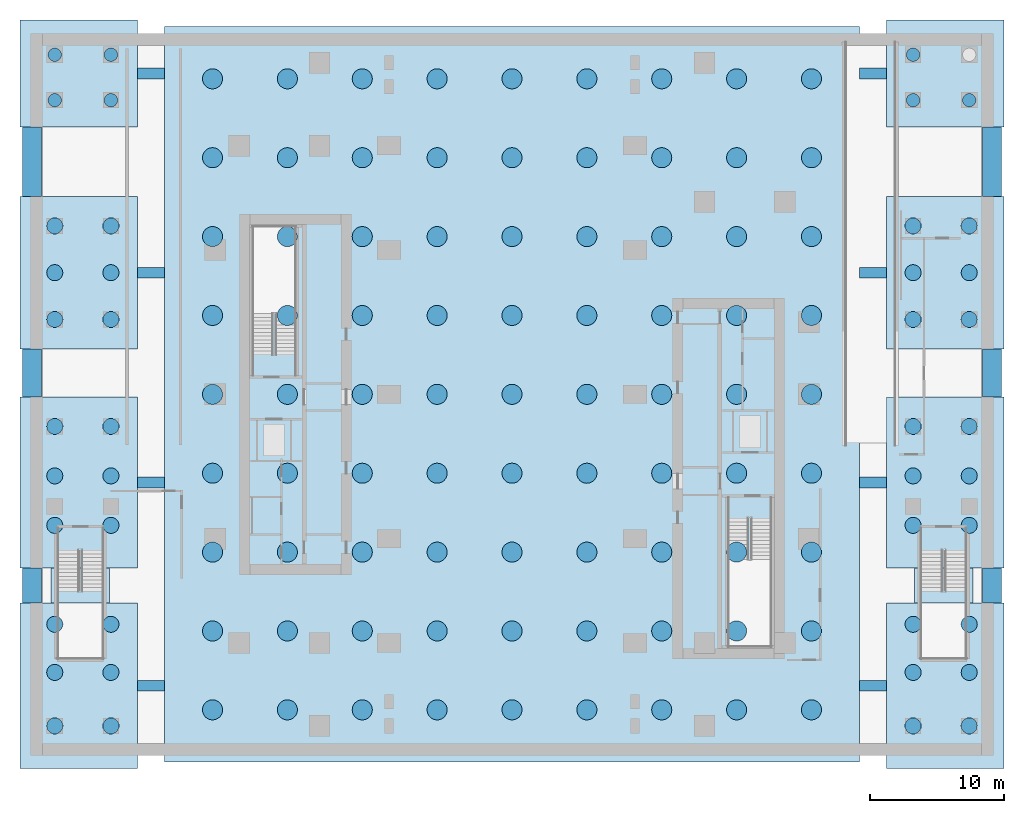
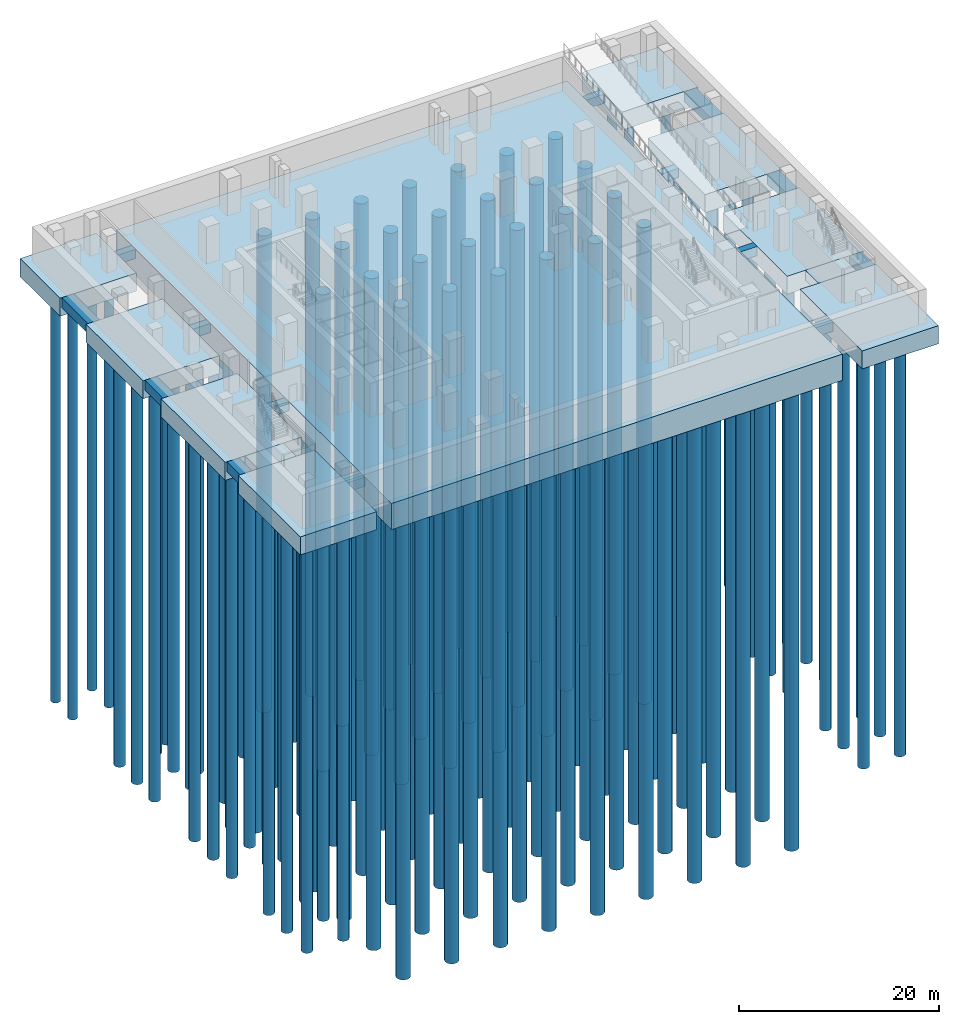
# One storey, part 1 of 15: 124 piles, 25 footings.
"""IFC4 building model written with IfcOpenShell, lengths in metres."""

import ifcopenshell
import ifcopenshell.guid

model = None  # the IFC model being written
_history = None  # IfcOwnerHistory: only IFC2X3 demands one
_inside = {}  # id of a spatial element -> (the spatial element, [elements in it])
_under = {}  # id of a project, library or spatial element -> (it, [spatial elements below it])
_declared = {}  # id of a project -> (the project, [libraries it declares])
_typed = {}  # id of a type object -> (the type object, [elements of that type])
_made_of = {}  # id of a material, layer set ... -> (it, [elements and type objects made of it])


def new_model(schema):
    """Start an empty IFC model of exactly this schema.

    Asked for "IFC4X3", IfcOpenShell would pick the latest addendum, in which some entities
    have other attributes; the version numbers below select the first issue.
    IFC2X3 requires an IfcOwnerHistory on every rooted entity: one is made here for all.
    """
    global model, _history
    if schema == "IFC4X3":
        model = ifcopenshell.file(schema_version=(4, 3, 0, 0))
    else:
        model = ifcopenshell.file(schema=schema)
    _inside.clear()
    _under.clear()
    _declared.clear()
    _typed.clear()
    _made_of.clear()
    _history = None
    if model.schema == "IFC2X3":
        org = make("IfcOrganization", Name="unknown")
        user = make(
            "IfcPersonAndOrganization",
            ThePerson=make("IfcPerson", FamilyName="unknown"),
            TheOrganization=org,
        )
        app = make(
            "IfcApplication",
            ApplicationDeveloper=org,
            Version="unknown",
            ApplicationFullName="unknown",
            ApplicationIdentifier="unknown",
        )
        _history = make(
            "IfcOwnerHistory",
            OwningUser=user,
            OwningApplication=app,
            ChangeAction="ADDED",
            CreationDate=0,
        )
    return model


def make(cls, **values):
    """One entity of the class cls with the attributes given. An attribute that is None is left unset."""
    return model.create_entity(
        cls, **{name: value for name, value in values.items() if value is not None}
    )


def rooted(cls, **values):
    """An entity with a GlobalId (a new one), such as an element, a storey or a relation."""
    return make(cls, GlobalId=ifcopenshell.guid.new(), OwnerHistory=_history, **values)


def si_unit(unit_type, name, prefix=None):
    """IfcSIUnit, for example si_unit("LENGTHUNIT", "METRE", prefix="MILLI")."""
    return make("IfcSIUnit", UnitType=unit_type, Prefix=prefix, Name=name)


def assignment(units):
    """IfcUnitAssignment: the units of a project."""
    return None if units is None else make("IfcUnitAssignment", Units=units)


def point(xyz):
    """IfcCartesianPoint."""
    return None if xyz is None else make("IfcCartesianPoint", Coordinates=xyz)


def direction(xyz):
    """IfcDirection."""
    return None if xyz is None else make("IfcDirection", DirectionRatios=xyz)


def frame(location, z_axis=None, x_axis=None):
    """IfcAxis2Placement3D, a coordinate frame: its origin and axes. An axis left out is left unset."""
    return make(
        "IfcAxis2Placement3D",
        Location=point(location),
        Axis=direction(z_axis),
        RefDirection=direction(x_axis),
    )


def frame_2d(location, x_axis=None):
    """IfcAxis2Placement2D, a coordinate frame in the plane: its origin and x axis."""
    return make(
        "IfcAxis2Placement2D", Location=point(location), RefDirection=direction(x_axis)
    )


def origin():
    """The frame at (0, 0, 0) with its axes left unset."""
    return frame((0.0, 0.0, 0.0))


def origin_2d():
    """The frame at (0, 0) in the plane with its x axis left unset."""
    return frame_2d((0.0, 0.0))


def place(relative_to, where):
    """IfcLocalPlacement: puts the frame where relative to a parent placement (None: the world)."""
    return make(
        "IfcLocalPlacement", PlacementRelTo=relative_to, RelativePlacement=where
    )


def context(
    kind, dimensions, precision=None, world=None, true_north=None, identifier=None
):
    """IfcGeometricRepresentationContext, for example the 3D "Model" context."""
    return make(
        "IfcGeometricRepresentationContext",
        ContextIdentifier=identifier,
        ContextType=kind,
        CoordinateSpaceDimension=dimensions,
        Precision=precision,
        WorldCoordinateSystem=world,
        TrueNorth=true_north,
    )


def subcontext(parent, identifier, kind, view, scale=None):
    """IfcGeometricRepresentationSubContext, for example "Body" below "Model"."""
    return make(
        "IfcGeometricRepresentationSubContext",
        ContextIdentifier=identifier,
        ContextType=kind,
        ParentContext=parent,
        TargetScale=scale,
        TargetView=view,
    )


def project(units=None, contexts=None):
    """IfcProject with its units and contexts."""
    return rooted(
        "IfcProject",
        Name="project",
        RepresentationContexts=contexts,
        UnitsInContext=assignment(units),
    )


def spatial(cls, under=None, at=None, **own):
    """A site, building, storey or space (cls), placed at a placement, below another one or the project."""
    s = rooted(cls, ObjectPlacement=at, **own)
    if under is not None:
        _under.setdefault(under.id(), (under, []))[1].append(s)
    return s


def polyline(points):
    """IfcPolyline through the points."""
    return make("IfcPolyline", Points=[point(p) for p in points])


def profile(cls, at=None, kind="AREA", **sizes):
    """A parametric profile (cls). Its sizes go by their IFC names, for example OverallWidth=200.0."""
    return make(cls, ProfileType=kind, Position=at, **sizes)


def circle(**sizes):
    """IfcCircleProfileDef."""
    return profile("IfcCircleProfileDef", **sizes)


def outline(outer, holes=None, kind="AREA"):
    """IfcArbitraryClosedProfileDef: a profile drawn as a closed curve; with holes, ...WithVoids."""
    if holes is None:
        return make("IfcArbitraryClosedProfileDef", ProfileType=kind, OuterCurve=outer)
    return make(
        "IfcArbitraryProfileDefWithVoids",
        ProfileType=kind,
        OuterCurve=outer,
        InnerCurves=holes,
    )


def extrude(swept, where, along, depth):
    """IfcExtrudedAreaSolid: the profile swept, set in the frame where, extruded along a direction by depth."""
    return make(
        "IfcExtrudedAreaSolid",
        SweptArea=swept,
        Position=where,
        ExtrudedDirection=direction(along),
        Depth=depth,
    )


def shape(context_of_items, identifier, shape_type, items):
    """IfcShapeRepresentation: the items that make up one representation, for example the "Body"."""
    return make(
        "IfcShapeRepresentation",
        ContextOfItems=context_of_items,
        RepresentationIdentifier=identifier,
        RepresentationType=shape_type,
        Items=items,
    )


def material(Name=None, Category=None):
    """IfcMaterial."""
    return make("IfcMaterial", Name=Name, Category=Category)


def layer(
    of_material, thickness, ventilated=None, Name=None, Category=None, Priority=None
):
    """IfcMaterialLayer: one layer of a wall or slab, of a material (None: an air gap)."""
    return make(
        "IfcMaterialLayer",
        Material=of_material,
        LayerThickness=thickness,
        IsVentilated=ventilated,
        Name=Name,
        Category=Category,
        Priority=Priority,
    )


def layer_set(layers, Name=None):
    """IfcMaterialLayerSet."""
    return make("IfcMaterialLayerSet", MaterialLayers=layers, LayerSetName=Name)


def material_profile(
    of_material, cross_section, Name=None, Category=None, Priority=None
):
    """IfcMaterialProfile: a cross section and its material."""
    return make(
        "IfcMaterialProfile",
        Name=Name,
        Material=of_material,
        Profile=cross_section,
        Priority=Priority,
        Category=Category,
    )


def profile_set(profiles, Name=None, composite=None):
    """IfcMaterialProfileSet."""
    return make(
        "IfcMaterialProfileSet",
        Name=Name,
        MaterialProfiles=profiles,
        CompositeProfile=composite,
    )


def made_of(thing, what):
    """Note that an element or type object is made of a material, layer set ...; save() writes the relation."""
    if what is not None:
        _made_of.setdefault(what.id(), (what, []))[1].append(thing)
    return thing


def type_object(cls, material=None, **own):
    """A type object (cls), such as IfcWallType, which elements share."""
    return made_of(rooted(cls, **own), material)


def element(
    cls,
    number,
    at=None,
    inside=None,
    cuts=None,
    type_object=None,
    material=None,
    context=None,
    identifier="Body",
    shape_type=None,
    held_by="IfcProductDefinitionShape",
    body=None,
    shapes=None,
    **own,
):
    """One element of the class cls, such as IfcWall. Its Tag is "e" and its number.

    at: its placement. inside: the storey or other place that contains it. cuts: it is an
    opening in that element (IfcRelVoidsElement). A single representation is given by context,
    identifier, shape_type and body (its items); several are given by shapes. held_by: the class
    of the entity that holds the representations. save() writes the other relations.
    """
    e = rooted(cls, Tag="e%d" % number, ObjectPlacement=at, **own)
    if body is not None:
        shapes = [shape(context, identifier, shape_type, body)]
    if shapes is not None:
        e.Representation = make(held_by, Representations=shapes)
    if inside is not None:
        _inside.setdefault(inside.id(), (inside, []))[1].append(e)
    if cuts is not None:
        rooted(
            "IfcRelVoidsElement", RelatingBuildingElement=cuts, RelatedOpeningElement=e
        )
    if type_object is not None:
        _typed.setdefault(type_object.id(), (type_object, []))[1].append(e)
    return made_of(e, material)


def aggregate(whole, parts):
    """IfcRelAggregates: a whole, such as a stair, and the parts it consists of."""
    return rooted("IfcRelAggregates", RelatingObject=whole, RelatedObjects=parts)


def save(model, path):
    """Write the relations noted so far, then the file.

    IfcRelAggregates (storeys below a building ...), IfcRelContainedInSpatialStructure (elements
    in a storey), IfcRelDefinesByType, IfcRelAssociatesMaterial and IfcRelDeclares: one each for
    every whole, place, type object, material and project.
    """
    for whole, parts in _under.values():
        aggregate(whole, parts)
    for where, things in _inside.values():
        rooted(
            "IfcRelContainedInSpatialStructure",
            RelatedElements=things,
            RelatingStructure=where,
        )
    for kind, things in _typed.values():
        rooted("IfcRelDefinesByType", RelatedObjects=things, RelatingType=kind)
    for what, things in _made_of.values():
        rooted("IfcRelAssociatesMaterial", RelatedObjects=things, RelatingMaterial=what)
    for by, libraries in _declared.values():
        rooted("IfcRelDeclares", RelatingContext=by, RelatedDefinitions=libraries)
    model.write(path)


model = new_model("IFC4")

# Units and contexts
model_context = context("Model", 3, precision=1e-05, world=origin(), true_north=direction((0.0, 1.0)))
body_context = subcontext(model_context, "Body", "Model", "MODEL_VIEW")
ifc_project = project(units=[si_unit("LENGTHUNIT", "METRE"), si_unit("AREAUNIT", "SQUARE_METRE"), si_unit("VOLUMEUNIT", "CUBIC_METRE"), si_unit("PLANEANGLEUNIT", "RADIAN"), si_unit("MASSUNIT", "GRAM", prefix="KILO")], contexts=[model_context])

# Site, building, storey
site_placement = place(None, origin())
site = spatial("IfcSite", under=ifc_project, at=site_placement, CompositionType="ELEMENT")
building_placement = place(site_placement, origin())
building = spatial("IfcBuilding", under=site, at=building_placement, Name="Khairoan Windgate Tower", CompositionType="ELEMENT")
storey_placement = place(building_placement, frame((0.0, 0.0, -9.0)))
storey = spatial("IfcBuildingStorey", under=building, at=storey_placement, Name="B2", CompositionType="ELEMENT", Elevation=-9.0)

# Footings
ifc_material_1 = material(Name="Concrete C50/60", Category="concrete")
ifc_layer_1 = layer(ifc_material_1, 1.10009765625, Name="Concrete C50/60")
ifc_layer_set_1 = layer_set([ifc_layer_1], Name="Concrete C50/60")
footing_type_1 = type_object("IfcFootingType", Name="Foundation Ground Tie Beam GB1 800x1100", PredefinedType="FOOTING_BEAM", material=ifc_layer_set_1)
footing_1_placement = place(storey_placement, frame((0.0, 0.0, -1.10009765625)))
element("IfcFooting", 1, at=footing_1_placement, inside=storey, type_object=footing_type_1, Name="Ground Tie Beam GB1 W-PC1", PredefinedType="FOOTING_BEAM", context=body_context, shape_type="SweptSolid", body=[
    extrude(outline(polyline([(-28.0, -22.199951171875), (-26.0, -22.199951171875), (-26.0, -21.39990234375), (-28.0, -21.39990234375), (-28.0, -22.199951171875)])), origin(), (0.0, 0.0, 1.0), 1.10009765625),
])
footing_2_placement = place(storey_placement, frame((0.0, 0.0, -1.10009765625)))
element("IfcFooting", 2, at=footing_2_placement, inside=storey, type_object=footing_type_1, Name="Ground Tie Beam GB1 W-PC2", PredefinedType="FOOTING_BEAM", context=body_context, shape_type="SweptSolid", body=[
    extrude(outline(polyline([(-28.0, -7.0), (-26.0, -7.0), (-26.0, -6.199951171875), (-28.0, -6.199951171875), (-28.0, -7.0)])), origin(), (0.0, 0.0, 1.0), 1.10009765625),
])
footing_3_placement = place(storey_placement, frame((0.0, 0.0, -1.10009765625)))
element("IfcFooting", 3, at=footing_3_placement, inside=storey, type_object=footing_type_1, Name="Ground Tie Beam GB1 W-PC3", PredefinedType="FOOTING_BEAM", context=body_context, shape_type="SweptSolid", body=[
    extrude(outline(polyline([(-28.0, 8.699951171875), (-26.0, 8.699951171875), (-26.0, 9.5), (-28.0, 9.5), (-28.0, 8.699951171875)])), origin(), (0.0, 0.0, 1.0), 1.10009765625),
])
footing_4_placement = place(storey_placement, frame((0.0, 0.0, -1.10009765625)))
element("IfcFooting", 4, at=footing_4_placement, inside=storey, type_object=footing_type_1, Name="Ground Tie Beam GB1 W-PC4", PredefinedType="FOOTING_BEAM", context=body_context, shape_type="SweptSolid", body=[
    extrude(outline(polyline([(-28.0, 23.60009765625), (-26.0, 23.60009765625), (-26.0, 24.39990234375), (-28.0, 24.39990234375), (-28.0, 23.60009765625)])), origin(), (0.0, 0.0, 1.0), 1.10009765625),
])
footing_5_placement = place(storey_placement, frame((0.0, 0.0, -1.10009765625)))
element("IfcFooting", 5, at=footing_5_placement, inside=storey, type_object=footing_type_1, Name="Ground Tie Beam GB1 E-PC1", PredefinedType="FOOTING_BEAM", context=body_context, shape_type="SweptSolid", body=[
    extrude(outline(polyline([(26.0, -22.199951171875), (28.0, -22.199951171875), (28.0, -21.39990234375), (26.0, -21.39990234375), (26.0, -22.199951171875)])), origin(), (0.0, 0.0, 1.0), 1.10009765625),
])
footing_6_placement = place(storey_placement, frame((0.0, 0.0, -1.10009765625)))
element("IfcFooting", 6, at=footing_6_placement, inside=storey, type_object=footing_type_1, Name="Ground Tie Beam GB1 E-PC2", PredefinedType="FOOTING_BEAM", context=body_context, shape_type="SweptSolid", body=[
    extrude(outline(polyline([(26.0, -7.0), (28.0, -7.0), (28.0, -6.199951171875), (26.0, -6.199951171875), (26.0, -7.0)])), origin(), (0.0, 0.0, 1.0), 1.10009765625),
])
footing_7_placement = place(storey_placement, frame((0.0, 0.0, -1.10009765625)))
element("IfcFooting", 7, at=footing_7_placement, inside=storey, type_object=footing_type_1, Name="Ground Tie Beam GB1 E-PC3", PredefinedType="FOOTING_BEAM", context=body_context, shape_type="SweptSolid", body=[
    extrude(outline(polyline([(26.0, 8.699951171875), (28.0, 8.699951171875), (28.0, 9.5), (26.0, 9.5), (26.0, 8.699951171875)])), origin(), (0.0, 0.0, 1.0), 1.10009765625),
])
footing_8_placement = place(storey_placement, frame((0.0, 0.0, -1.10009765625)))
element("IfcFooting", 8, at=footing_8_placement, inside=storey, type_object=footing_type_1, Name="Ground Tie Beam GB1 E-PC4", PredefinedType="FOOTING_BEAM", context=body_context, shape_type="SweptSolid", body=[
    extrude(outline(polyline([(26.0, 23.60009765625), (28.0, 23.60009765625), (28.0, 24.39990234375), (26.0, 24.39990234375), (26.0, 23.60009765625)])), origin(), (0.0, 0.0, 1.0), 1.10009765625),
])
ifc_material_2 = material(Name="Concrete C50/60", Category="concrete")
ifc_layer_2 = layer(ifc_material_2, 1.199951171875, Name="Concrete C50/60")
ifc_layer_set_2 = layer_set([ifc_layer_2], Name="Concrete C50/60")
footing_type_2 = type_object("IfcFootingType", Name="Perimeter Basement Strip Footing SF1 1400x1200", PredefinedType="STRIP_FOOTING", material=ifc_layer_set_2)
footing_9_placement = place(storey_placement, frame((0.0, 0.0, -1.199951171875)))
element("IfcFooting", 9, at=footing_9_placement, inside=storey, type_object=footing_type_2, Name="Perimeter Strip Footing SF1-W1", PredefinedType="STRIP_FOOTING", context=body_context, shape_type="SweptSolid", body=[
    extrude(outline(polyline([(-36.60009765625, -15.60009765625), (-35.199951171875, -15.60009765625), (-35.199951171875, -13.0), (-36.60009765625, -13.0), (-36.60009765625, -15.60009765625)])), origin(), (0.0, 0.0, 1.0), 1.199951171875),
])
footing_10_placement = place(storey_placement, frame((0.0, 0.0, -1.199951171875)))
element("IfcFooting", 10, at=footing_10_placement, inside=storey, type_object=footing_type_2, Name="Perimeter Strip Footing SF1-W2", PredefinedType="STRIP_FOOTING", context=body_context, shape_type="SweptSolid", body=[
    extrude(outline(polyline([(-36.60009765625, -0.199951171875), (-35.199951171875, -0.199951171875), (-35.199951171875, 3.39990234375), (-36.60009765625, 3.39990234375), (-36.60009765625, -0.199951171875)])), origin(), (0.0, 0.0, 1.0), 1.199951171875),
])
footing_11_placement = place(storey_placement, frame((0.0, 0.0, -1.199951171875)))
element("IfcFooting", 11, at=footing_11_placement, inside=storey, type_object=footing_type_2, Name="Perimeter Strip Footing SF1-W3", PredefinedType="STRIP_FOOTING", context=body_context, shape_type="SweptSolid", body=[
    extrude(outline(polyline([(-36.60009765625, 14.800048828125), (-35.199951171875, 14.800048828125), (-35.199951171875, 20.0), (-36.60009765625, 20.0), (-36.60009765625, 14.800048828125)])), origin(), (0.0, 0.0, 1.0), 1.199951171875),
])
footing_12_placement = place(storey_placement, frame((0.0, 0.0, -1.199951171875)))
element("IfcFooting", 12, at=footing_12_placement, inside=storey, type_object=footing_type_2, Name="Perimeter Strip Footing SF1-E1", PredefinedType="STRIP_FOOTING", context=body_context, shape_type="SweptSolid", body=[
    extrude(outline(polyline([(35.199951171875, -15.60009765625), (36.60009765625, -15.60009765625), (36.60009765625, -13.0), (35.199951171875, -13.0), (35.199951171875, -15.60009765625)])), origin(), (0.0, 0.0, 1.0), 1.199951171875),
])
footing_13_placement = place(storey_placement, frame((0.0, 0.0, -1.199951171875)))
element("IfcFooting", 13, at=footing_13_placement, inside=storey, type_object=footing_type_2, Name="Perimeter Strip Footing SF1-E2", PredefinedType="STRIP_FOOTING", context=body_context, shape_type="SweptSolid", body=[
    extrude(outline(polyline([(35.199951171875, -0.199951171875), (36.60009765625, -0.199951171875), (36.60009765625, 3.39990234375), (35.199951171875, 3.39990234375), (35.199951171875, -0.199951171875)])), origin(), (0.0, 0.0, 1.0), 1.199951171875),
])
footing_14_placement = place(storey_placement, frame((0.0, 0.0, -1.199951171875)))
element("IfcFooting", 14, at=footing_14_placement, inside=storey, type_object=footing_type_2, Name="Perimeter Strip Footing SF1-E3", PredefinedType="STRIP_FOOTING", context=body_context, shape_type="SweptSolid", body=[
    extrude(outline(polyline([(35.199951171875, 14.800048828125), (36.60009765625, 14.800048828125), (36.60009765625, 20.0), (35.199951171875, 20.0), (35.199951171875, 14.800048828125)])), origin(), (0.0, 0.0, 1.0), 1.199951171875),
])
footing_15_placement = place(storey_placement, frame((0.0, 0.0, -1.199951171875)))
element("IfcFooting", 15, at=footing_15_placement, inside=storey, type_object=footing_type_2, Name="Stair ST3 Foundation Strip", PredefinedType="STRIP_FOOTING", context=body_context, shape_type="SweptSolid", body=[
    extrude(outline(polyline([(30.10009765625, -15.60009765625), (34.5, -15.60009765625), (34.5, -13.0), (30.10009765625, -13.0), (30.10009765625, -15.60009765625)])), origin(), (0.0, 0.0, 1.0), 1.199951171875),
])
footing_16_placement = place(storey_placement, frame((0.0, 0.0, -1.199951171875)))
element("IfcFooting", 16, at=footing_16_placement, inside=storey, type_object=footing_type_2, Name="Stair ST4 Foundation Strip", PredefinedType="STRIP_FOOTING", context=body_context, shape_type="SweptSolid", body=[
    extrude(outline(polyline([(-34.5, -15.60009765625), (-30.10009765625, -15.60009765625), (-30.10009765625, -13.0), (-34.5, -13.0), (-34.5, -15.60009765625)])), origin(), (0.0, 0.0, 1.0), 1.199951171875),
])

# Piles
ifc_material_3 = material(Name="Concrete C50/60", Category="concrete")
ifc_material_profile_1 = material_profile(ifc_material_3, circle(Radius=0.5, at=origin_2d()))
ifc_profile_set_1 = profile_set([ifc_material_profile_1], Name="Concrete C50/60")
pile_type_1 = type_object("IfcPileType", Name="Perimeter Support Pile BP3 RC-D1000", PredefinedType="SUPPORT", material=ifc_profile_set_1)
for number, where, z_axis, x_axis, name in (
    (17, (-34.199951171875, 22.0, -2.050048828125), (0.0, 0.0, -1.0), (1.0, 0.0, 0.0), "Perimeter Support Pile BP3-01"),
    (18, (-34.199951171875, 25.39990234375, -2.050048828125), (0.0, 0.0, -1.0), (1.0, 0.0, 0.0), "Perimeter Support Pile BP3-02"),
    (19, (-30.0, 22.0, -2.050048828125), (0.0, 0.0, -1.0), (1.0, 0.0, 0.0), "Perimeter Support Pile BP3-03"),
    (20, (-30.0, 25.39990234375, -2.050048828125), (0.0, 0.0, -1.0), (1.0, 0.0, 0.0), "Perimeter Support Pile BP3-04"),
    (21, (30.0, 22.0, -2.050048828125), (0.0, 0.0, -1.0), (1.0, 0.0, 0.0), "Perimeter Support Pile BP3-05"),
    (22, (30.0, 25.39990234375, -2.050048828125), (0.0, 0.0, -1.0), (1.0, 0.0, 0.0), "Perimeter Support Pile BP3-06"),
    (23, (34.199951171875, 22.0, -2.050048828125), (0.0, 0.0, -1.0), (1.0, 0.0, 0.0), "Perimeter Support Pile BP3-07"),
):
    element("IfcPile", number, at=place(storey_placement, frame(where, z_axis=z_axis, x_axis=x_axis)), inside=storey, type_object=pile_type_1, Name=name, PredefinedType="SUPPORT", context=body_context, shape_type="SweptSolid", body=[
        extrude(circle(Radius=0.5, at=origin_2d()), origin(), (0.0, 0.0, 1.0), 51.14990234375),
    ])
ifc_material_4 = material(Name="Concrete C50/60", Category="concrete")
ifc_material_profile_2 = material_profile(ifc_material_4, circle(Radius=0.60009765625, at=origin_2d()))
ifc_profile_set_2 = profile_set([ifc_material_profile_2], Name="Concrete C50/60")
pile_type_2 = type_object("IfcPileType", Name="Podium Bored Pile BP2 RC-D1200", PredefinedType="BORED", material=ifc_profile_set_2)
for number, where, z_axis, x_axis, name in (
    (24, (-34.199951171875, -24.800048828125, -2.050048828125), (0.0, 0.0, -1.0), (1.0, 0.0, 0.0), "Podium Wing Bored Pile BP2-01"),
    (25, (-34.199951171875, -20.800048828125, -2.050048828125), (0.0, 0.0, -1.0), (1.0, 0.0, 0.0), "Podium Wing Bored Pile BP2-02"),
    (26, (-34.199951171875, -17.199951171875, -2.050048828125), (0.0, 0.0, -1.0), (1.0, 0.0, 0.0), "Podium Wing Bored Pile BP2-03"),
    (27, (-30.0, -24.800048828125, -2.050048828125), (0.0, 0.0, -1.0), (1.0, 0.0, 0.0), "Podium Wing Bored Pile BP2-04"),
    (28, (-30.0, -20.800048828125, -2.050048828125), (0.0, 0.0, -1.0), (1.0, 0.0, 0.0), "Podium Wing Bored Pile BP2-05"),
    (29, (-30.0, -17.199951171875, -2.050048828125), (0.0, 0.0, -1.0), (1.0, 0.0, 0.0), "Podium Wing Bored Pile BP2-06"),
    (30, (-34.199951171875, -9.800048828125, -2.050048828125), (0.0, 0.0, -1.0), (1.0, 0.0, 0.0), "Podium Wing Bored Pile BP2-07"),
    (31, (-34.199951171875, -6.10009765625, -2.050048828125), (0.0, 0.0, -1.0), (1.0, 0.0, 0.0), "Podium Wing Bored Pile BP2-08"),
    (32, (-34.199951171875, -2.39990234375, -2.050048828125), (0.0, 0.0, -1.0), (1.0, 0.0, 0.0), "Podium Wing Bored Pile BP2-09"),
    (33, (-30.0, -9.800048828125, -2.050048828125), (0.0, 0.0, -1.0), (1.0, 0.0, 0.0), "Podium Wing Bored Pile BP2-10"),
    (34, (-30.0, -6.10009765625, -2.050048828125), (0.0, 0.0, -1.0), (1.0, 0.0, 0.0), "Podium Wing Bored Pile BP2-11"),
    (35, (-30.0, -2.39990234375, -2.050048828125), (0.0, 0.0, -1.0), (1.0, 0.0, 0.0), "Podium Wing Bored Pile BP2-12"),
    (36, (-34.199951171875, 5.60009765625, -2.050048828125), (0.0, 0.0, -1.0), (1.0, 0.0, 0.0), "Podium Wing Bored Pile BP2-13"),
    (37, (-34.199951171875, 9.10009765625, -2.050048828125), (0.0, 0.0, -1.0), (1.0, 0.0, 0.0), "Podium Wing Bored Pile BP2-14"),
    (38, (-34.199951171875, 12.60009765625, -2.050048828125), (0.0, 0.0, -1.0), (1.0, 0.0, 0.0), "Podium Wing Bored Pile BP2-15"),
    (39, (-30.0, 5.60009765625, -2.050048828125), (0.0, 0.0, -1.0), (1.0, 0.0, 0.0), "Podium Wing Bored Pile BP2-16"),
    (40, (-30.0, 9.10009765625, -2.050048828125), (0.0, 0.0, -1.0), (1.0, 0.0, 0.0), "Podium Wing Bored Pile BP2-17"),
    (41, (-30.0, 12.60009765625, -2.050048828125), (0.0, 0.0, -1.0), (1.0, 0.0, 0.0), "Podium Wing Bored Pile BP2-18"),
    (42, (30.0, -24.800048828125, -2.050048828125), (0.0, 0.0, -1.0), (1.0, 0.0, 0.0), "Podium Wing Bored Pile BP2-19"),
    (43, (30.0, -20.800048828125, -2.050048828125), (0.0, 0.0, -1.0), (1.0, 0.0, 0.0), "Podium Wing Bored Pile BP2-20"),
    (44, (30.0, -17.199951171875, -2.050048828125), (0.0, 0.0, -1.0), (1.0, 0.0, 0.0), "Podium Wing Bored Pile BP2-21"),
    (45, (34.199951171875, -24.800048828125, -2.050048828125), (0.0, 0.0, -1.0), (1.0, 0.0, 0.0), "Podium Wing Bored Pile BP2-22"),
    (46, (34.199951171875, -20.800048828125, -2.050048828125), (0.0, 0.0, -1.0), (1.0, 0.0, 0.0), "Podium Wing Bored Pile BP2-23"),
    (47, (34.199951171875, -17.199951171875, -2.050048828125), (0.0, 0.0, -1.0), (1.0, 0.0, 0.0), "Podium Wing Bored Pile BP2-24"),
    (48, (30.0, -9.800048828125, -2.050048828125), (0.0, 0.0, -1.0), (1.0, 0.0, 0.0), "Podium Wing Bored Pile BP2-25"),
    (49, (30.0, -6.10009765625, -2.050048828125), (0.0, 0.0, -1.0), (1.0, 0.0, 0.0), "Podium Wing Bored Pile BP2-26"),
    (50, (30.0, -2.39990234375, -2.050048828125), (0.0, 0.0, -1.0), (1.0, 0.0, 0.0), "Podium Wing Bored Pile BP2-27"),
    (51, (34.199951171875, -9.800048828125, -2.050048828125), (0.0, 0.0, -1.0), (1.0, 0.0, 0.0), "Podium Wing Bored Pile BP2-28"),
    (52, (34.199951171875, -6.10009765625, -2.050048828125), (0.0, 0.0, -1.0), (1.0, 0.0, 0.0), "Podium Wing Bored Pile BP2-29"),
    (53, (34.199951171875, -2.39990234375, -2.050048828125), (0.0, 0.0, -1.0), (1.0, 0.0, 0.0), "Podium Wing Bored Pile BP2-30"),
    (54, (30.0, 5.60009765625, -2.050048828125), (0.0, 0.0, -1.0), (1.0, 0.0, 0.0), "Podium Wing Bored Pile BP2-31"),
    (55, (30.0, 9.10009765625, -2.050048828125), (0.0, 0.0, -1.0), (1.0, 0.0, 0.0), "Podium Wing Bored Pile BP2-32"),
    (56, (30.0, 12.60009765625, -2.050048828125), (0.0, 0.0, -1.0), (1.0, 0.0, 0.0), "Podium Wing Bored Pile BP2-33"),
    (57, (34.199951171875, 5.60009765625, -2.050048828125), (0.0, 0.0, -1.0), (1.0, 0.0, 0.0), "Podium Wing Bored Pile BP2-34"),
    (58, (34.199951171875, 9.10009765625, -2.050048828125), (0.0, 0.0, -1.0), (1.0, 0.0, 0.0), "Podium Wing Bored Pile BP2-35"),
    (59, (34.199951171875, 12.60009765625, -2.050048828125), (0.0, 0.0, -1.0), (1.0, 0.0, 0.0), "Podium Wing Bored Pile BP2-36"),
):
    element("IfcPile", number, at=place(storey_placement, frame(where, z_axis=z_axis, x_axis=x_axis)), inside=storey, type_object=pile_type_2, Name=name, PredefinedType="BORED", context=body_context, shape_type="SweptSolid", body=[
        extrude(circle(Radius=0.60009765625, at=origin_2d()), origin(), (0.0, 0.0, 1.0), 51.14990234375),
    ])

# Footings
ifc_material_5 = material(Name="Concrete C50/60", Category="concrete")
ifc_layer_3 = layer(ifc_material_5, 2.199951171875, Name="Concrete C50/60")
ifc_layer_set_3 = layer_set([ifc_layer_3], Name="Concrete C50/60")
footing_type_3 = type_object("IfcFootingType", Name="Podium Pile Cap PC1 8800x12400x2200", PredefinedType="PILE_CAP", material=ifc_layer_set_3)
footing_17_placement = place(storey_placement, frame((0.0, 0.0, -2.199951171875)))
element("IfcFooting", 60, at=footing_17_placement, inside=storey, type_object=footing_type_3, Name="Podium Wing Pile Cap PC1 (W)", PredefinedType="PILE_CAP", context=body_context, shape_type="SweptSolid", body=[
    extrude(outline(polyline([(-36.800048828125, -28.0), (-28.0, -28.0), (-28.0, -15.60009765625), (-36.800048828125, -15.60009765625), (-36.800048828125, -28.0)])), origin(), (0.0, 0.0, 1.0), 2.199951171875),
])
footing_18_placement = place(storey_placement, frame((0.0, 0.0, -2.199951171875)))
element("IfcFooting", 61, at=footing_18_placement, inside=storey, type_object=footing_type_3, Name="Podium Wing Pile Cap PC1 (E)", PredefinedType="PILE_CAP", context=body_context, shape_type="SweptSolid", body=[
    extrude(outline(polyline([(28.0, -28.0), (36.800048828125, -28.0), (36.800048828125, -15.60009765625), (28.0, -15.60009765625), (28.0, -28.0)])), origin(), (0.0, 0.0, 1.0), 2.199951171875),
])
ifc_material_6 = material(Name="Concrete C50/60", Category="concrete")
ifc_layer_4 = layer(ifc_material_6, 2.199951171875, Name="Concrete C50/60")
ifc_layer_set_4 = layer_set([ifc_layer_4], Name="Concrete C50/60")
footing_type_4 = type_object("IfcFootingType", Name="Podium Pile Cap PC2 8800x11800x2200", PredefinedType="PILE_CAP", material=ifc_layer_set_4)
footing_19_placement = place(storey_placement, frame((0.0, 0.0, -2.199951171875)))
element("IfcFooting", 62, at=footing_19_placement, inside=storey, type_object=footing_type_4, Name="Podium Wing Pile Cap PC2 (W)", PredefinedType="PILE_CAP", context=body_context, shape_type="SweptSolid", body=[
    extrude(outline(polyline([(-36.800048828125, -13.0), (-28.0, -13.0), (-28.0, -0.199951171875), (-36.800048828125, -0.199951171875), (-36.800048828125, -13.0)])), origin(), (0.0, 0.0, 1.0), 2.199951171875),
])
footing_20_placement = place(storey_placement, frame((0.0, 0.0, -2.199951171875)))
element("IfcFooting", 63, at=footing_20_placement, inside=storey, type_object=footing_type_4, Name="Podium Wing Pile Cap PC2 (E)", PredefinedType="PILE_CAP", context=body_context, shape_type="SweptSolid", body=[
    extrude(outline(polyline([(28.0, -13.0), (36.800048828125, -13.0), (36.800048828125, -0.199951171875), (28.0, -0.199951171875), (28.0, -13.0)])), origin(), (0.0, 0.0, 1.0), 2.199951171875),
])
ifc_material_7 = material(Name="Concrete C50/60", Category="concrete")
ifc_layer_5 = layer(ifc_material_7, 2.199951171875, Name="Concrete C50/60")
ifc_layer_set_5 = layer_set([ifc_layer_5], Name="Concrete C50/60")
footing_type_5 = type_object("IfcFootingType", Name="Podium Pile Cap PC3 8800x11400x2200", PredefinedType="PILE_CAP", material=ifc_layer_set_5)
footing_21_placement = place(storey_placement, frame((0.0, 0.0, -2.199951171875)))
element("IfcFooting", 64, at=footing_21_placement, inside=storey, type_object=footing_type_5, Name="Podium Wing Pile Cap PC3 (W)", PredefinedType="PILE_CAP", context=body_context, shape_type="SweptSolid", body=[
    extrude(outline(polyline([(-36.800048828125, 3.39990234375), (-28.0, 3.39990234375), (-28.0, 14.800048828125), (-36.800048828125, 14.800048828125), (-36.800048828125, 3.39990234375)])), origin(), (0.0, 0.0, 1.0), 2.199951171875),
])
footing_22_placement = place(storey_placement, frame((0.0, 0.0, -2.199951171875)))
element("IfcFooting", 65, at=footing_22_placement, inside=storey, type_object=footing_type_5, Name="Podium Wing Pile Cap PC3 (E)", PredefinedType="PILE_CAP", context=body_context, shape_type="SweptSolid", body=[
    extrude(outline(polyline([(28.0, 3.39990234375), (36.800048828125, 3.39990234375), (36.800048828125, 14.800048828125), (28.0, 14.800048828125), (28.0, 3.39990234375)])), origin(), (0.0, 0.0, 1.0), 2.199951171875),
])
ifc_material_8 = material(Name="Concrete C50/60", Category="concrete")
ifc_layer_6 = layer(ifc_material_8, 2.199951171875, Name="Concrete C50/60")
ifc_layer_set_6 = layer_set([ifc_layer_6], Name="Concrete C50/60")
footing_type_6 = type_object("IfcFootingType", Name="Podium Pile Cap PC4 8800x8000x2200", PredefinedType="PILE_CAP", material=ifc_layer_set_6)
footing_23_placement = place(storey_placement, frame((0.0, 0.0, -2.199951171875)))
element("IfcFooting", 66, at=footing_23_placement, inside=storey, type_object=footing_type_6, Name="Podium Wing Pile Cap PC4 (W)", PredefinedType="PILE_CAP", context=body_context, shape_type="SweptSolid", body=[
    extrude(outline(polyline([(-36.800048828125, 20.0), (-28.0, 20.0), (-28.0, 28.0), (-36.800048828125, 28.0), (-36.800048828125, 20.0)])), origin(), (0.0, 0.0, 1.0), 2.199951171875),
])
footing_24_placement = place(storey_placement, frame((0.0, 0.0, -2.199951171875)))
element("IfcFooting", 67, at=footing_24_placement, inside=storey, type_object=footing_type_6, Name="Podium Wing Pile Cap PC4 (E)", PredefinedType="PILE_CAP", context=body_context, shape_type="SweptSolid", body=[
    extrude(outline(polyline([(28.0, 20.0), (36.800048828125, 20.0), (36.800048828125, 28.0), (28.0, 28.0), (28.0, 20.0)])), origin(), (0.0, 0.0, 1.0), 2.199951171875),
])

# Piles
ifc_material_9 = material(Name="Concrete C50/60", Category="concrete")
ifc_material_profile_3 = material_profile(ifc_material_9, circle(Radius=0.75, at=origin_2d()))
ifc_profile_set_3 = profile_set([ifc_material_profile_3], Name="Concrete C50/60")
pile_type_3 = type_object("IfcPileType", Name="Tower Bored Pile BP1 RC-D1500", PredefinedType="BORED", material=ifc_profile_set_3)
for number, where, z_axis, x_axis, name in (
    (68, (-22.39990234375, -23.60009765625, -3.050048828125), (0.0, 0.0, -1.0), (1.0, 0.0, 0.0), "Tower Mat Bored Pile BP1-001"),
    (69, (-22.39990234375, -17.699951171875, -3.050048828125), (0.0, 0.0, -1.0), (1.0, 0.0, 0.0), "Tower Mat Bored Pile BP1-002"),
    (70, (-22.39990234375, -11.800048828125, -3.050048828125), (0.0, 0.0, -1.0), (1.0, 0.0, 0.0), "Tower Mat Bored Pile BP1-003"),
    (71, (-22.39990234375, -5.89990234375, -3.050048828125), (0.0, 0.0, -1.0), (1.0, 0.0, 0.0), "Tower Mat Bored Pile BP1-004"),
    (72, (-22.39990234375, 0.0, -3.050048828125), (0.0, 0.0, -1.0), (1.0, 0.0, 0.0), "Tower Mat Bored Pile BP1-005"),
    (73, (-22.39990234375, 5.89990234375, -3.050048828125), (0.0, 0.0, -1.0), (1.0, 0.0, 0.0), "Tower Mat Bored Pile BP1-006"),
    (74, (-22.39990234375, 11.800048828125, -3.050048828125), (0.0, 0.0, -1.0), (1.0, 0.0, 0.0), "Tower Mat Bored Pile BP1-007"),
    (75, (-22.39990234375, 17.699951171875, -3.050048828125), (0.0, 0.0, -1.0), (1.0, 0.0, 0.0), "Tower Mat Bored Pile BP1-008"),
    (76, (-22.39990234375, 23.60009765625, -3.050048828125), (0.0, 0.0, -1.0), (1.0, 0.0, 0.0), "Tower Mat Bored Pile BP1-009"),
    (77, (-16.800048828125, -23.60009765625, -3.050048828125), (0.0, 0.0, -1.0), (1.0, 0.0, 0.0), "Tower Mat Bored Pile BP1-010"),
    (78, (-16.800048828125, -17.699951171875, -3.050048828125), (0.0, 0.0, -1.0), (1.0, 0.0, 0.0), "Tower Mat Bored Pile BP1-011"),
    (79, (-16.800048828125, -11.800048828125, -3.050048828125), (0.0, 0.0, -1.0), (1.0, 0.0, 0.0), "Tower Mat Bored Pile BP1-012"),
    (80, (-16.800048828125, -5.89990234375, -3.050048828125), (0.0, 0.0, -1.0), (1.0, 0.0, 0.0), "Tower Mat Bored Pile BP1-013"),
    (81, (-16.800048828125, 0.0, -3.050048828125), (0.0, 0.0, -1.0), (1.0, 0.0, 0.0), "Tower Mat Bored Pile BP1-014"),
    (82, (-16.800048828125, 5.89990234375, -3.050048828125), (0.0, 0.0, -1.0), (1.0, 0.0, 0.0), "Tower Mat Bored Pile BP1-015"),
    (83, (-16.800048828125, 11.800048828125, -3.050048828125), (0.0, 0.0, -1.0), (1.0, 0.0, 0.0), "Tower Mat Bored Pile BP1-016"),
    (84, (-16.800048828125, 17.699951171875, -3.050048828125), (0.0, 0.0, -1.0), (1.0, 0.0, 0.0), "Tower Mat Bored Pile BP1-017"),
    (85, (-16.800048828125, 23.60009765625, -3.050048828125), (0.0, 0.0, -1.0), (1.0, 0.0, 0.0), "Tower Mat Bored Pile BP1-018"),
    (86, (-11.199951171875, -23.60009765625, -3.050048828125), (0.0, 0.0, -1.0), (1.0, 0.0, 0.0), "Tower Mat Bored Pile BP1-019"),
    (87, (-11.199951171875, -17.699951171875, -3.050048828125), (0.0, 0.0, -1.0), (1.0, 0.0, 0.0), "Tower Mat Bored Pile BP1-020"),
    (88, (-11.199951171875, -11.800048828125, -3.050048828125), (0.0, 0.0, -1.0), (1.0, 0.0, 0.0), "Tower Mat Bored Pile BP1-021"),
    (89, (-11.199951171875, -5.89990234375, -3.050048828125), (0.0, 0.0, -1.0), (1.0, 0.0, 0.0), "Tower Mat Bored Pile BP1-022"),
    (90, (-11.199951171875, 0.0, -3.050048828125), (0.0, 0.0, -1.0), (1.0, 0.0, 0.0), "Tower Mat Bored Pile BP1-023"),
    (91, (-11.199951171875, 5.89990234375, -3.050048828125), (0.0, 0.0, -1.0), (1.0, 0.0, 0.0), "Tower Mat Bored Pile BP1-024"),
    (92, (-11.199951171875, 11.800048828125, -3.050048828125), (0.0, 0.0, -1.0), (1.0, 0.0, 0.0), "Tower Mat Bored Pile BP1-025"),
    (93, (-11.199951171875, 17.699951171875, -3.050048828125), (0.0, 0.0, -1.0), (1.0, 0.0, 0.0), "Tower Mat Bored Pile BP1-026"),
    (94, (-11.199951171875, 23.60009765625, -3.050048828125), (0.0, 0.0, -1.0), (1.0, 0.0, 0.0), "Tower Mat Bored Pile BP1-027"),
    (95, (-5.60009765625, -23.60009765625, -3.050048828125), (0.0, 0.0, -1.0), (1.0, 0.0, 0.0), "Tower Mat Bored Pile BP1-028"),
    (96, (-5.60009765625, -17.699951171875, -3.050048828125), (0.0, 0.0, -1.0), (1.0, 0.0, 0.0), "Tower Mat Bored Pile BP1-029"),
    (97, (-5.60009765625, -11.800048828125, -3.050048828125), (0.0, 0.0, -1.0), (1.0, 0.0, 0.0), "Tower Mat Bored Pile BP1-030"),
    (98, (-5.60009765625, -5.89990234375, -3.050048828125), (0.0, 0.0, -1.0), (1.0, 0.0, 0.0), "Tower Mat Bored Pile BP1-031"),
    (99, (-5.60009765625, 0.0, -3.050048828125), (0.0, 0.0, -1.0), (1.0, 0.0, 0.0), "Tower Mat Bored Pile BP1-032"),
    (100, (-5.60009765625, 5.89990234375, -3.050048828125), (0.0, 0.0, -1.0), (1.0, 0.0, 0.0), "Tower Mat Bored Pile BP1-033"),
    (101, (-5.60009765625, 11.800048828125, -3.050048828125), (0.0, 0.0, -1.0), (1.0, 0.0, 0.0), "Tower Mat Bored Pile BP1-034"),
    (102, (-5.60009765625, 17.699951171875, -3.050048828125), (0.0, 0.0, -1.0), (1.0, 0.0, 0.0), "Tower Mat Bored Pile BP1-035"),
    (103, (-5.60009765625, 23.60009765625, -3.050048828125), (0.0, 0.0, -1.0), (1.0, 0.0, 0.0), "Tower Mat Bored Pile BP1-036"),
    (104, (0.0, -23.60009765625, -3.050048828125), (0.0, 0.0, -1.0), (1.0, 0.0, 0.0), "Tower Mat Bored Pile BP1-037"),
    (105, (0.0, -17.699951171875, -3.050048828125), (0.0, 0.0, -1.0), (1.0, 0.0, 0.0), "Tower Mat Bored Pile BP1-038"),
    (106, (0.0, -11.800048828125, -3.050048828125), (0.0, 0.0, -1.0), (1.0, 0.0, 0.0), "Tower Mat Bored Pile BP1-039"),
    (107, (0.0, -5.89990234375, -3.050048828125), (0.0, 0.0, -1.0), (1.0, 0.0, 0.0), "Tower Mat Bored Pile BP1-040"),
    (108, (0.0, 0.0, -3.050048828125), (0.0, 0.0, -1.0), (1.0, 0.0, 0.0), "Tower Mat Bored Pile BP1-041"),
    (109, (0.0, 5.89990234375, -3.050048828125), (0.0, 0.0, -1.0), (1.0, 0.0, 0.0), "Tower Mat Bored Pile BP1-042"),
    (110, (0.0, 11.800048828125, -3.050048828125), (0.0, 0.0, -1.0), (1.0, 0.0, 0.0), "Tower Mat Bored Pile BP1-043"),
    (111, (0.0, 17.699951171875, -3.050048828125), (0.0, 0.0, -1.0), (1.0, 0.0, 0.0), "Tower Mat Bored Pile BP1-044"),
    (112, (0.0, 23.60009765625, -3.050048828125), (0.0, 0.0, -1.0), (1.0, 0.0, 0.0), "Tower Mat Bored Pile BP1-045"),
    (113, (5.60009765625, -23.60009765625, -3.050048828125), (0.0, 0.0, -1.0), (1.0, 0.0, 0.0), "Tower Mat Bored Pile BP1-046"),
    (114, (5.60009765625, -17.699951171875, -3.050048828125), (0.0, 0.0, -1.0), (1.0, 0.0, 0.0), "Tower Mat Bored Pile BP1-047"),
    (115, (5.60009765625, -11.800048828125, -3.050048828125), (0.0, 0.0, -1.0), (1.0, 0.0, 0.0), "Tower Mat Bored Pile BP1-048"),
    (116, (5.60009765625, -5.89990234375, -3.050048828125), (0.0, 0.0, -1.0), (1.0, 0.0, 0.0), "Tower Mat Bored Pile BP1-049"),
    (117, (5.60009765625, 0.0, -3.050048828125), (0.0, 0.0, -1.0), (1.0, 0.0, 0.0), "Tower Mat Bored Pile BP1-050"),
    (118, (5.60009765625, 5.89990234375, -3.050048828125), (0.0, 0.0, -1.0), (1.0, 0.0, 0.0), "Tower Mat Bored Pile BP1-051"),
    (119, (5.60009765625, 11.800048828125, -3.050048828125), (0.0, 0.0, -1.0), (1.0, 0.0, 0.0), "Tower Mat Bored Pile BP1-052"),
    (120, (5.60009765625, 17.699951171875, -3.050048828125), (0.0, 0.0, -1.0), (1.0, 0.0, 0.0), "Tower Mat Bored Pile BP1-053"),
    (121, (5.60009765625, 23.60009765625, -3.050048828125), (0.0, 0.0, -1.0), (1.0, 0.0, 0.0), "Tower Mat Bored Pile BP1-054"),
    (122, (11.199951171875, -23.60009765625, -3.050048828125), (0.0, 0.0, -1.0), (1.0, 0.0, 0.0), "Tower Mat Bored Pile BP1-055"),
    (123, (11.199951171875, -17.699951171875, -3.050048828125), (0.0, 0.0, -1.0), (1.0, 0.0, 0.0), "Tower Mat Bored Pile BP1-056"),
    (124, (11.199951171875, -11.800048828125, -3.050048828125), (0.0, 0.0, -1.0), (1.0, 0.0, 0.0), "Tower Mat Bored Pile BP1-057"),
    (125, (11.199951171875, -5.89990234375, -3.050048828125), (0.0, 0.0, -1.0), (1.0, 0.0, 0.0), "Tower Mat Bored Pile BP1-058"),
    (126, (11.199951171875, 0.0, -3.050048828125), (0.0, 0.0, -1.0), (1.0, 0.0, 0.0), "Tower Mat Bored Pile BP1-059"),
    (127, (11.199951171875, 5.89990234375, -3.050048828125), (0.0, 0.0, -1.0), (1.0, 0.0, 0.0), "Tower Mat Bored Pile BP1-060"),
    (128, (11.199951171875, 11.800048828125, -3.050048828125), (0.0, 0.0, -1.0), (1.0, 0.0, 0.0), "Tower Mat Bored Pile BP1-061"),
    (129, (11.199951171875, 17.699951171875, -3.050048828125), (0.0, 0.0, -1.0), (1.0, 0.0, 0.0), "Tower Mat Bored Pile BP1-062"),
    (130, (11.199951171875, 23.60009765625, -3.050048828125), (0.0, 0.0, -1.0), (1.0, 0.0, 0.0), "Tower Mat Bored Pile BP1-063"),
    (131, (16.800048828125, -23.60009765625, -3.050048828125), (0.0, 0.0, -1.0), (1.0, 0.0, 0.0), "Tower Mat Bored Pile BP1-064"),
    (132, (16.800048828125, -17.699951171875, -3.050048828125), (0.0, 0.0, -1.0), (1.0, 0.0, 0.0), "Tower Mat Bored Pile BP1-065"),
    (133, (16.800048828125, -11.800048828125, -3.050048828125), (0.0, 0.0, -1.0), (1.0, 0.0, 0.0), "Tower Mat Bored Pile BP1-066"),
    (134, (16.800048828125, -5.89990234375, -3.050048828125), (0.0, 0.0, -1.0), (1.0, 0.0, 0.0), "Tower Mat Bored Pile BP1-067"),
    (135, (16.800048828125, 0.0, -3.050048828125), (0.0, 0.0, -1.0), (1.0, 0.0, 0.0), "Tower Mat Bored Pile BP1-068"),
    (136, (16.800048828125, 5.89990234375, -3.050048828125), (0.0, 0.0, -1.0), (1.0, 0.0, 0.0), "Tower Mat Bored Pile BP1-069"),
    (137, (16.800048828125, 11.800048828125, -3.050048828125), (0.0, 0.0, -1.0), (1.0, 0.0, 0.0), "Tower Mat Bored Pile BP1-070"),
    (138, (16.800048828125, 17.699951171875, -3.050048828125), (0.0, 0.0, -1.0), (1.0, 0.0, 0.0), "Tower Mat Bored Pile BP1-071"),
    (139, (16.800048828125, 23.60009765625, -3.050048828125), (0.0, 0.0, -1.0), (1.0, 0.0, 0.0), "Tower Mat Bored Pile BP1-072"),
    (140, (22.39990234375, -23.60009765625, -3.050048828125), (0.0, 0.0, -1.0), (1.0, 0.0, 0.0), "Tower Mat Bored Pile BP1-073"),
    (141, (22.39990234375, -17.699951171875, -3.050048828125), (0.0, 0.0, -1.0), (1.0, 0.0, 0.0), "Tower Mat Bored Pile BP1-074"),
    (142, (22.39990234375, -11.800048828125, -3.050048828125), (0.0, 0.0, -1.0), (1.0, 0.0, 0.0), "Tower Mat Bored Pile BP1-075"),
    (143, (22.39990234375, -5.89990234375, -3.050048828125), (0.0, 0.0, -1.0), (1.0, 0.0, 0.0), "Tower Mat Bored Pile BP1-076"),
    (144, (22.39990234375, 0.0, -3.050048828125), (0.0, 0.0, -1.0), (1.0, 0.0, 0.0), "Tower Mat Bored Pile BP1-077"),
    (145, (22.39990234375, 5.89990234375, -3.050048828125), (0.0, 0.0, -1.0), (1.0, 0.0, 0.0), "Tower Mat Bored Pile BP1-078"),
    (146, (22.39990234375, 11.800048828125, -3.050048828125), (0.0, 0.0, -1.0), (1.0, 0.0, 0.0), "Tower Mat Bored Pile BP1-079"),
    (147, (22.39990234375, 17.699951171875, -3.050048828125), (0.0, 0.0, -1.0), (1.0, 0.0, 0.0), "Tower Mat Bored Pile BP1-080"),
    (148, (22.39990234375, 23.60009765625, -3.050048828125), (0.0, 0.0, -1.0), (1.0, 0.0, 0.0), "Tower Mat Bored Pile BP1-081"),
):
    element("IfcPile", number, at=place(storey_placement, frame(where, z_axis=z_axis, x_axis=x_axis)), inside=storey, type_object=pile_type_3, Name=name, PredefinedType="BORED", context=body_context, shape_type="SweptSolid", body=[
        extrude(circle(Radius=0.75, at=origin_2d()), origin(), (0.0, 0.0, 1.0), 58.14990234375),
    ])

# Footing
ifc_material_10 = material(Name="Concrete C50/60", Category="concrete")
ifc_layer_7 = layer(ifc_material_10, 3.199951171875, Name="Concrete C50/60")
ifc_layer_set_7 = layer_set([ifc_layer_7], Name="Concrete C50/60")
footing_type_7 = type_object("IfcFootingType", Name="Tower Piled Mat Foundation MF1 3200", PredefinedType="PILE_CAP", material=ifc_layer_set_7)
footing_25_placement = place(storey_placement, frame((0.0, 0.0, -3.199951171875)))
element("IfcFooting", 149, at=footing_25_placement, inside=storey, type_object=footing_type_7, Name="Central Tower Piled Mat Foundation MF1", PredefinedType="PILE_CAP", context=body_context, shape_type="SweptSolid", body=[
    extrude(outline(polyline([(-26.0, -27.5), (26.0, -27.5), (26.0, 27.5), (-26.0, 27.5), (-26.0, -27.5)])), origin(), (0.0, 0.0, 1.0), 3.199951171875),
])

save(model, "model.ifc")
